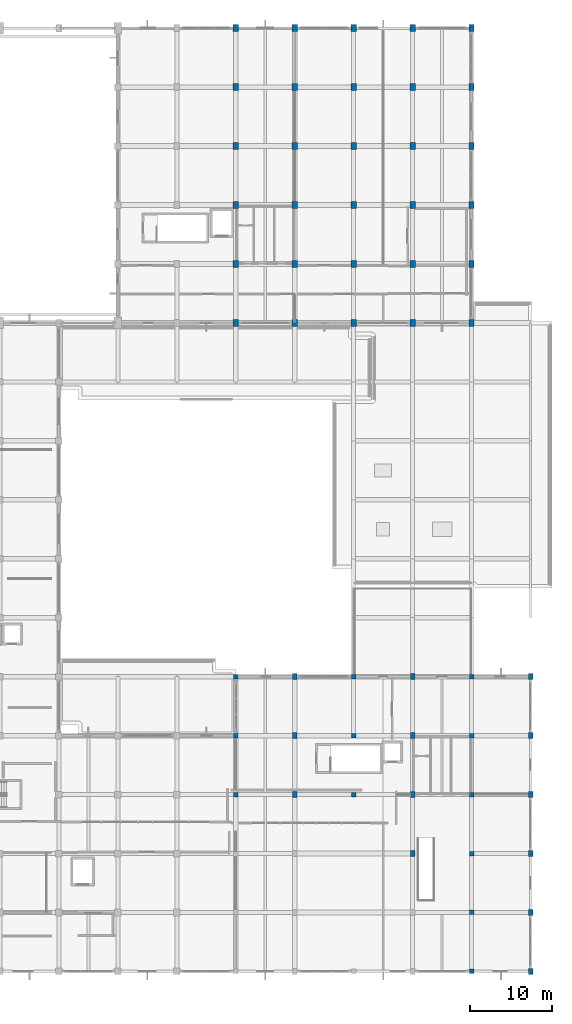
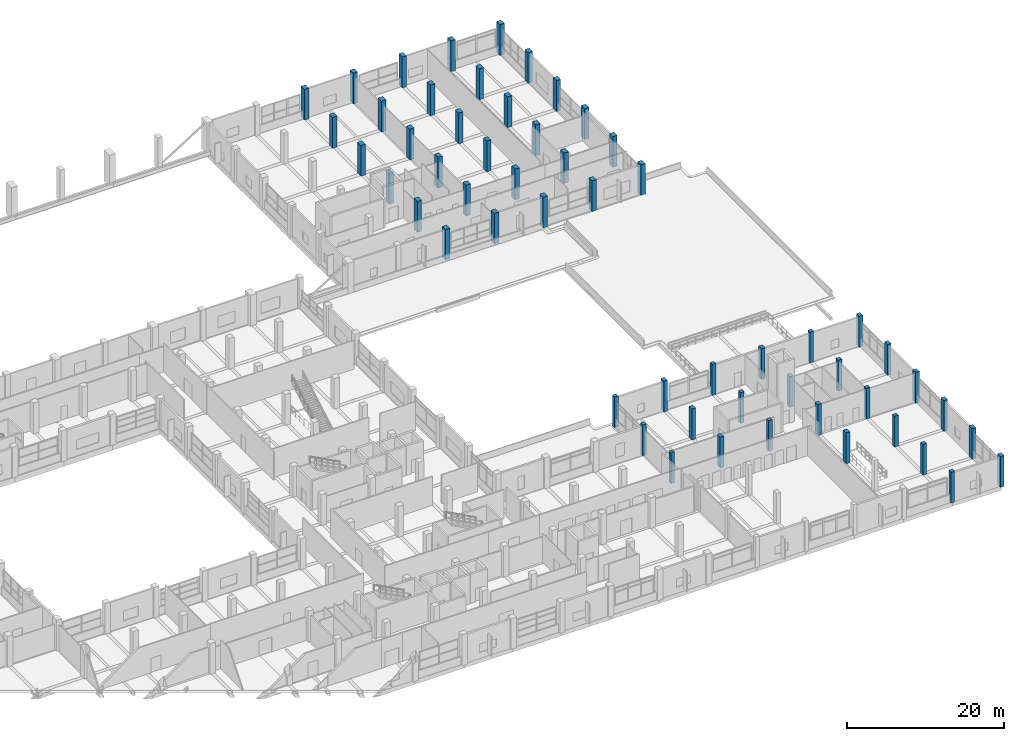
# One storey, part 2 of 140: 55 columns.
"""IFC4 building model written with IfcOpenShell, lengths in metres."""

from ifc_helpers import new_model, si_unit, direction, frame, origin, origin_2d, place, context, subcontext, project, spatial, rectangle, extrude, material, material_profile, profile_set, type_object, element, save


model = new_model("IFC4")

# Units and contexts
model_context = context("Model", 3, precision=1e-05, world=origin(), true_north=direction((0.0, 1.0)))
body_context = subcontext(model_context, "Body", "Model", "MODEL_VIEW")
ifc_project = project(units=[si_unit("LENGTHUNIT", "METRE"), si_unit("AREAUNIT", "SQUARE_METRE"), si_unit("VOLUMEUNIT", "CUBIC_METRE"), si_unit("PLANEANGLEUNIT", "RADIAN"), si_unit("MASSUNIT", "GRAM", prefix="KILO")], contexts=[model_context])

# Site, building, storey
site_placement = place(None, origin())
site = spatial("IfcSite", under=ifc_project, at=site_placement, CompositionType="ELEMENT")
building_placement = place(site_placement, origin())
building = spatial("IfcBuilding", under=site, at=building_placement, Name="Seraya Terrace Polytechnic", CompositionType="ELEMENT")
storey_placement = place(building_placement, frame((0.0, 0.0, 9.60009765625)))
storey = spatial("IfcBuildingStorey", under=building, at=storey_placement, Name="L02", CompositionType="ELEMENT", Elevation=9.60009765625)

# Columns
ifc_material = material(Name="Concrete C40/50", Category="concrete")
ifc_material_profile_1 = material_profile(ifc_material, rectangle(XDim=0.550048828125, YDim=0.550048828125, at=origin_2d()), Name="RC 550x550")
ifc_profile_set_1 = profile_set([ifc_material_profile_1], Name="Concrete C40/50")
column_type_1 = type_object("IfcColumnType", Name="C-10", PredefinedType="COLUMN", material=ifc_profile_set_1)
for number, where, z_axis, x_axis, name in (
    (1, (129.60009765625, 21.60009765625, 0.0), (0.0, 0.0, 1.0), (1.0, 0.0, 0.0), "Column C-10 L02 (129.6, 21.6)"),
    (2, (129.60009765625, 28.800048828125, 0.0), (0.0, 0.0, 1.0), (1.0, 0.0, 0.0), "Column C-10 L02 (129.6, 28.8)"),
    (3, (129.60009765625, 36.0, 0.0), (0.0, 0.0, 1.0), (1.0, 0.0, 0.0), "Column C-10 L02 (129.6, 36.0)"),
    (4, (144.0, 21.60009765625, 0.0), (0.0, 0.0, 1.0), (1.0, 0.0, 0.0), "Column C-10 L02 (144.0, 21.6)"),
    (5, (144.0, 28.800048828125, 0.0), (0.0, 0.0, 1.0), (1.0, 0.0, 0.0), "Column C-10 L02 (144.0, 28.8)"),
    (6, (144.0, 36.0, 0.0), (0.0, 0.0, 1.0), (1.0, 0.0, 0.0), "Column C-10 L02 (144.0, 36.0)"),
    (7, (158.39990234375, 0.0, 0.0), (0.0, 0.0, 1.0), (1.0, 0.0, 0.0), "Column C-10 L02 (158.4, 0.0)"),
    (8, (158.39990234375, 7.199951171875, 0.0), (0.0, 0.0, 1.0), (1.0, 0.0, 0.0), "Column C-10 L02 (158.4, 7.2)"),
    (9, (158.39990234375, 14.39990234375, 0.0), (0.0, 0.0, 1.0), (1.0, 0.0, 0.0), "Column C-10 L02 (158.4, 14.4)"),
    (10, (158.39990234375, 21.60009765625, 0.0), (0.0, 0.0, 1.0), (1.0, 0.0, 0.0), "Column C-10 L02 (158.4, 21.6)"),
    (11, (158.39990234375, 28.800048828125, 0.0), (0.0, 0.0, 1.0), (1.0, 0.0, 0.0), "Column C-10 L02 (158.4, 28.8)"),
    (12, (158.39990234375, 36.0, 0.0), (0.0, 0.0, 1.0), (1.0, 0.0, 0.0), "Column C-10 L02 (158.4, 36.0)"),
):
    element("IfcColumn", number, at=place(storey_placement, frame(where, z_axis=z_axis, x_axis=x_axis)), inside=storey, type_object=column_type_1, Name=name, PredefinedType="COLUMN", context=body_context, shape_type="SweptSolid", body=[
        extrude(rectangle(XDim=0.550048828125, YDim=0.550048828125, at=origin_2d()), origin(), (0.0, 0.0, 1.0), 4.7998046875),
    ])
ifc_material_profile_2 = material_profile(ifc_material, rectangle(XDim=0.64990234375, YDim=0.85009765625, at=origin_2d()), Name="RC 650x850")
ifc_profile_set_2 = profile_set([ifc_material_profile_2], Name="Concrete C40/50")
column_type_2 = type_object("IfcColumnType", Name="C-16", PredefinedType="COLUMN", material=ifc_profile_set_2)
for number, where, z_axis, x_axis, name in (
    (13, (129.60009765625, 79.199951171875, 0.0), (0.0, 0.0, 1.0), (1.0, 0.0, 0.0), "Column C-16 L02 (129.6, 79.2)"),
    (14, (129.60009765625, 86.39990234375, 0.0), (0.0, 0.0, 1.0), (1.0, 0.0, 0.0), "Column C-16 L02 (129.6, 86.4)"),
    (15, (129.60009765625, 93.60009765625, 0.0), (0.0, 0.0, 1.0), (1.0, 0.0, 0.0), "Column C-16 L02 (129.6, 93.6)"),
    (16, (129.60009765625, 100.800048828125, 0.0), (0.0, 0.0, 1.0), (1.0, 0.0, 0.0), "Column C-16 L02 (129.6, 100.8)"),
    (17, (129.60009765625, 108.0, 0.0), (0.0, 0.0, 1.0), (1.0, 0.0, 0.0), "Column C-16 L02 (129.6, 108.0)"),
    (18, (129.60009765625, 115.199951171875, 0.0), (0.0, 0.0, 1.0), (1.0, 0.0, 0.0), "Column C-16 L02 (129.6, 115.2)"),
    (19, (136.800048828125, 79.199951171875, 0.0), (0.0, 0.0, 1.0), (1.0, 0.0, 0.0), "Column C-16 L02 (136.8, 79.2)"),
    (20, (136.800048828125, 86.39990234375, 0.0), (0.0, 0.0, 1.0), (1.0, 0.0, 0.0), "Column C-16 L02 (136.8, 86.4)"),
    (21, (136.800048828125, 93.60009765625, 0.0), (0.0, 0.0, 1.0), (1.0, 0.0, 0.0), "Column C-16 L02 (136.8, 93.6)"),
    (22, (136.800048828125, 100.800048828125, 0.0), (0.0, 0.0, 1.0), (1.0, 0.0, 0.0), "Column C-16 L02 (136.8, 100.8)"),
    (23, (136.800048828125, 108.0, 0.0), (0.0, 0.0, 1.0), (1.0, 0.0, 0.0), "Column C-16 L02 (136.8, 108.0)"),
    (24, (136.800048828125, 115.199951171875, 0.0), (0.0, 0.0, 1.0), (1.0, 0.0, 0.0), "Column C-16 L02 (136.8, 115.2)"),
    (25, (144.0, 79.199951171875, 0.0), (0.0, 0.0, 1.0), (1.0, 0.0, 0.0), "Column C-16 L02 (144.0, 79.2)"),
    (26, (144.0, 86.39990234375, 0.0), (0.0, 0.0, 1.0), (1.0, 0.0, 0.0), "Column C-16 L02 (144.0, 86.4)"),
    (27, (144.0, 93.60009765625, 0.0), (0.0, 0.0, 1.0), (1.0, 0.0, 0.0), "Column C-16 L02 (144.0, 93.6)"),
    (28, (144.0, 100.800048828125, 0.0), (0.0, 0.0, 1.0), (1.0, 0.0, 0.0), "Column C-16 L02 (144.0, 100.8)"),
    (29, (144.0, 108.0, 0.0), (0.0, 0.0, 1.0), (1.0, 0.0, 0.0), "Column C-16 L02 (144.0, 108.0)"),
    (30, (144.0, 115.199951171875, 0.0), (0.0, 0.0, 1.0), (1.0, 0.0, 0.0), "Column C-16 L02 (144.0, 115.2)"),
    (31, (151.199951171875, 79.199951171875, 0.0), (0.0, 0.0, 1.0), (1.0, 0.0, 0.0), "Column C-16 L02 (151.2, 79.2)"),
    (32, (151.199951171875, 86.39990234375, 0.0), (0.0, 0.0, 1.0), (1.0, 0.0, 0.0), "Column C-16 L02 (151.2, 86.4)"),
    (33, (151.199951171875, 93.60009765625, 0.0), (0.0, 0.0, 1.0), (1.0, 0.0, 0.0), "Column C-16 L02 (151.2, 93.6)"),
    (34, (151.199951171875, 100.800048828125, 0.0), (0.0, 0.0, 1.0), (1.0, 0.0, 0.0), "Column C-16 L02 (151.2, 100.8)"),
    (35, (151.199951171875, 108.0, 0.0), (0.0, 0.0, 1.0), (1.0, 0.0, 0.0), "Column C-16 L02 (151.2, 108.0)"),
    (36, (151.199951171875, 115.199951171875, 0.0), (0.0, 0.0, 1.0), (1.0, 0.0, 0.0), "Column C-16 L02 (151.2, 115.2)"),
    (37, (158.39990234375, 79.199951171875, 0.0), (0.0, 0.0, 1.0), (1.0, 0.0, 0.0), "Column C-16 L02 (158.4, 79.2)"),
    (38, (158.39990234375, 86.39990234375, 0.0), (0.0, 0.0, 1.0), (1.0, 0.0, 0.0), "Column C-16 L02 (158.4, 86.4)"),
    (39, (158.39990234375, 93.60009765625, 0.0), (0.0, 0.0, 1.0), (1.0, 0.0, 0.0), "Column C-16 L02 (158.4, 93.6)"),
    (40, (158.39990234375, 100.800048828125, 0.0), (0.0, 0.0, 1.0), (1.0, 0.0, 0.0), "Column C-16 L02 (158.4, 100.8)"),
    (41, (158.39990234375, 108.0, 0.0), (0.0, 0.0, 1.0), (1.0, 0.0, 0.0), "Column C-16 L02 (158.4, 108.0)"),
    (42, (158.39990234375, 115.199951171875, 0.0), (0.0, 0.0, 1.0), (1.0, 0.0, 0.0), "Column C-16 L02 (158.4, 115.2)"),
):
    element("IfcColumn", number, at=place(storey_placement, frame(where, z_axis=z_axis, x_axis=x_axis)), inside=storey, type_object=column_type_2, Name=name, PredefinedType="COLUMN", context=body_context, shape_type="SweptSolid", body=[
        extrude(rectangle(XDim=0.64990234375, YDim=0.85009765625, at=origin_2d()), origin(), (0.0, 0.0, 1.0), 4.7998046875),
    ])
ifc_material_profile_3 = material_profile(ifc_material, rectangle(XDim=0.550048828125, YDim=0.75, at=origin_2d()), Name="RC 550x750")
ifc_profile_set_3 = profile_set([ifc_material_profile_3], Name="Concrete C40/50")
column_type_3 = type_object("IfcColumnType", Name="C-17", PredefinedType="COLUMN", material=ifc_profile_set_3)
for number, where, z_axis, x_axis, name in (
    (43, (136.800048828125, 21.60009765625, 0.0), (0.0, 0.0, 1.0), (1.0, 0.0, 0.0), "Column C-17 L02 (136.8, 21.6)"),
    (44, (136.800048828125, 28.800048828125, 0.0), (0.0, 0.0, 1.0), (1.0, 0.0, 0.0), "Column C-17 L02 (136.8, 28.8)"),
    (45, (136.800048828125, 36.0, 0.0), (0.0, 0.0, 1.0), (1.0, 0.0, 0.0), "Column C-17 L02 (136.8, 36.0)"),
    (46, (151.199951171875, 14.39990234375, 0.0), (0.0, 0.0, 1.0), (1.0, 0.0, 0.0), "Column C-17 L02 (151.2, 14.4)"),
    (47, (151.199951171875, 21.60009765625, 0.0), (0.0, 0.0, 1.0), (1.0, 0.0, 0.0), "Column C-17 L02 (151.2, 21.6)"),
    (48, (151.199951171875, 28.800048828125, 0.0), (0.0, 0.0, 1.0), (1.0, 0.0, 0.0), "Column C-17 L02 (151.2, 28.8)"),
    (49, (151.199951171875, 36.0, 0.0), (0.0, 0.0, 1.0), (1.0, 0.0, 0.0), "Column C-17 L02 (151.2, 36.0)"),
    (50, (165.60009765625, 0.0, 0.0), (0.0, 0.0, 1.0), (1.0, 0.0, 0.0), "Column C-17 L02 (165.6, 0.0)"),
    (51, (165.60009765625, 7.199951171875, 0.0), (0.0, 0.0, 1.0), (1.0, 0.0, 0.0), "Column C-17 L02 (165.6, 7.2)"),
    (52, (165.60009765625, 14.39990234375, 0.0), (0.0, 0.0, 1.0), (1.0, 0.0, 0.0), "Column C-17 L02 (165.6, 14.4)"),
    (53, (165.60009765625, 21.60009765625, 0.0), (0.0, 0.0, 1.0), (1.0, 0.0, 0.0), "Column C-17 L02 (165.6, 21.6)"),
    (54, (165.60009765625, 28.800048828125, 0.0), (0.0, 0.0, 1.0), (1.0, 0.0, 0.0), "Column C-17 L02 (165.6, 28.8)"),
    (55, (165.60009765625, 36.0, 0.0), (0.0, 0.0, 1.0), (1.0, 0.0, 0.0), "Column C-17 L02 (165.6, 36.0)"),
):
    element("IfcColumn", number, at=place(storey_placement, frame(where, z_axis=z_axis, x_axis=x_axis)), inside=storey, type_object=column_type_3, Name=name, PredefinedType="COLUMN", context=body_context, shape_type="SweptSolid", body=[
        extrude(rectangle(XDim=0.550048828125, YDim=0.75, at=origin_2d()), origin(), (0.0, 0.0, 1.0), 4.7998046875),
    ])

save(model, "model.ifc")
